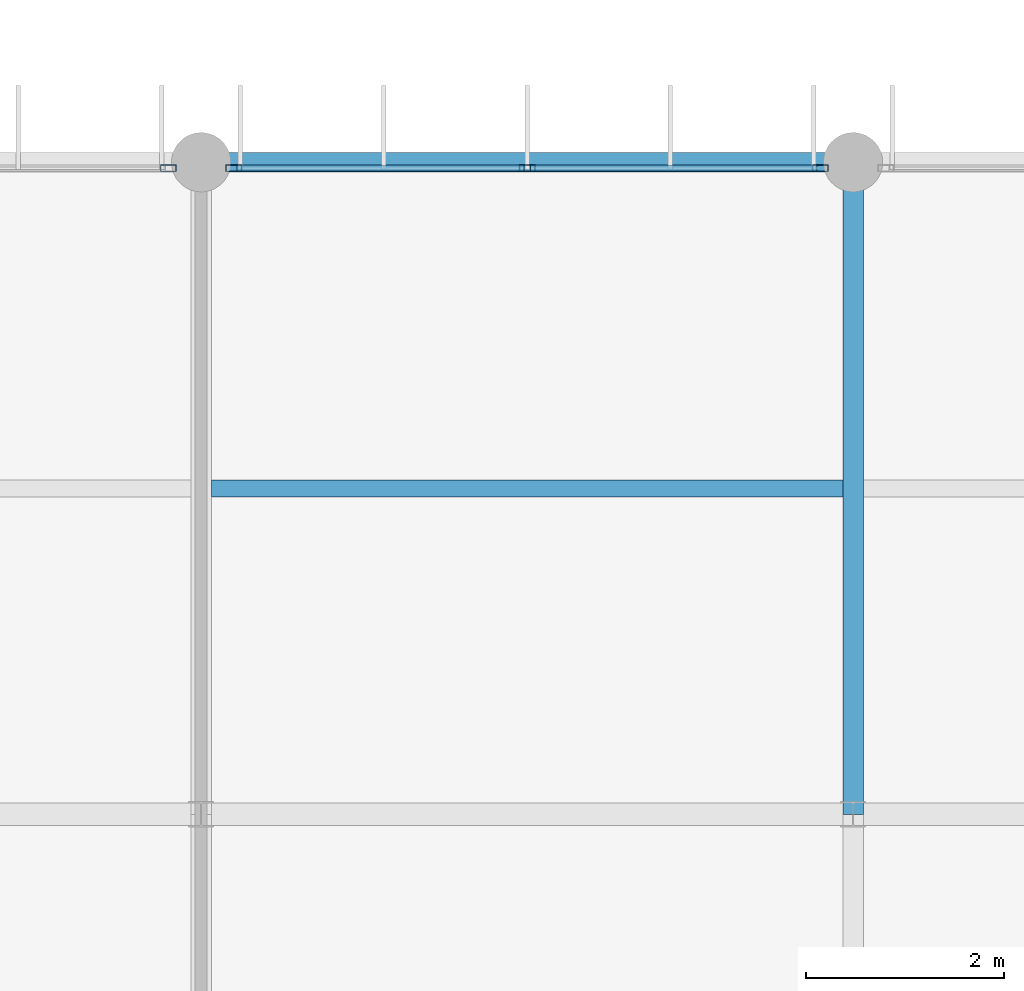
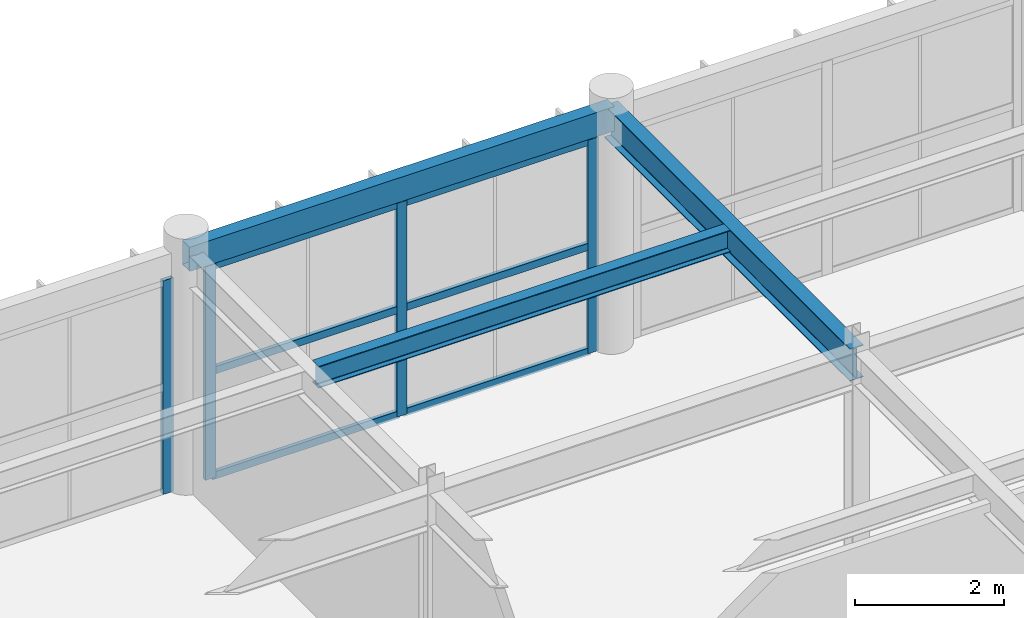
# One storey, part 42 of 66: 10 members, 3 beams, 2 elements without a shape of their own.
"""IFC4 building model written with IfcOpenShell, lengths in metres."""

import ifcopenshell
import ifcopenshell.guid

model = None  # the IFC model being written
_history = None  # IfcOwnerHistory: only IFC2X3 demands one
_inside = {}  # id of a spatial element -> (the spatial element, [elements in it])
_under = {}  # id of a project, library or spatial element -> (it, [spatial elements below it])
_declared = {}  # id of a project -> (the project, [libraries it declares])
_typed = {}  # id of a type object -> (the type object, [elements of that type])
_made_of = {}  # id of a material, layer set ... -> (it, [elements and type objects made of it])


def new_model(schema):
    """Start an empty IFC model of exactly this schema.

    Asked for "IFC4X3", IfcOpenShell would pick the latest addendum, in which some entities
    have other attributes; the version numbers below select the first issue.
    IFC2X3 requires an IfcOwnerHistory on every rooted entity: one is made here for all.
    """
    global model, _history
    if schema == "IFC4X3":
        model = ifcopenshell.file(schema_version=(4, 3, 0, 0))
    else:
        model = ifcopenshell.file(schema=schema)
    _inside.clear()
    _under.clear()
    _declared.clear()
    _typed.clear()
    _made_of.clear()
    _history = None
    if model.schema == "IFC2X3":
        org = make("IfcOrganization", Name="unknown")
        user = make(
            "IfcPersonAndOrganization",
            ThePerson=make("IfcPerson", FamilyName="unknown"),
            TheOrganization=org,
        )
        app = make(
            "IfcApplication",
            ApplicationDeveloper=org,
            Version="unknown",
            ApplicationFullName="unknown",
            ApplicationIdentifier="unknown",
        )
        _history = make(
            "IfcOwnerHistory",
            OwningUser=user,
            OwningApplication=app,
            ChangeAction="ADDED",
            CreationDate=0,
        )
    return model


def make(cls, **values):
    """One entity of the class cls with the attributes given. An attribute that is None is left unset."""
    return model.create_entity(
        cls, **{name: value for name, value in values.items() if value is not None}
    )


def rooted(cls, **values):
    """An entity with a GlobalId (a new one), such as an element, a storey or a relation."""
    return make(cls, GlobalId=ifcopenshell.guid.new(), OwnerHistory=_history, **values)


def si_unit(unit_type, name, prefix=None):
    """IfcSIUnit, for example si_unit("LENGTHUNIT", "METRE", prefix="MILLI")."""
    return make("IfcSIUnit", UnitType=unit_type, Prefix=prefix, Name=name)


def assignment(units):
    """IfcUnitAssignment: the units of a project."""
    return None if units is None else make("IfcUnitAssignment", Units=units)


def point(xyz):
    """IfcCartesianPoint."""
    return None if xyz is None else make("IfcCartesianPoint", Coordinates=xyz)


def direction(xyz):
    """IfcDirection."""
    return None if xyz is None else make("IfcDirection", DirectionRatios=xyz)


def frame(location, z_axis=None, x_axis=None):
    """IfcAxis2Placement3D, a coordinate frame: its origin and axes. An axis left out is left unset."""
    return make(
        "IfcAxis2Placement3D",
        Location=point(location),
        Axis=direction(z_axis),
        RefDirection=direction(x_axis),
    )


def frame_2d(location, x_axis=None):
    """IfcAxis2Placement2D, a coordinate frame in the plane: its origin and x axis."""
    return make(
        "IfcAxis2Placement2D", Location=point(location), RefDirection=direction(x_axis)
    )


def origin():
    """The frame at (0, 0, 0) with its axes left unset."""
    return frame((0.0, 0.0, 0.0))


def origin_2d():
    """The frame at (0, 0) in the plane with its x axis left unset."""
    return frame_2d((0.0, 0.0))


def place(relative_to, where):
    """IfcLocalPlacement: puts the frame where relative to a parent placement (None: the world)."""
    return make(
        "IfcLocalPlacement", PlacementRelTo=relative_to, RelativePlacement=where
    )


def context(
    kind, dimensions, precision=None, world=None, true_north=None, identifier=None
):
    """IfcGeometricRepresentationContext, for example the 3D "Model" context."""
    return make(
        "IfcGeometricRepresentationContext",
        ContextIdentifier=identifier,
        ContextType=kind,
        CoordinateSpaceDimension=dimensions,
        Precision=precision,
        WorldCoordinateSystem=world,
        TrueNorth=true_north,
    )


def subcontext(parent, identifier, kind, view, scale=None):
    """IfcGeometricRepresentationSubContext, for example "Body" below "Model"."""
    return make(
        "IfcGeometricRepresentationSubContext",
        ContextIdentifier=identifier,
        ContextType=kind,
        ParentContext=parent,
        TargetScale=scale,
        TargetView=view,
    )


def project(units=None, contexts=None):
    """IfcProject with its units and contexts."""
    return rooted(
        "IfcProject",
        Name="project",
        RepresentationContexts=contexts,
        UnitsInContext=assignment(units),
    )


def spatial(cls, under=None, at=None, **own):
    """A site, building, storey or space (cls), placed at a placement, below another one or the project."""
    s = rooted(cls, ObjectPlacement=at, **own)
    if under is not None:
        _under.setdefault(under.id(), (under, []))[1].append(s)
    return s


def profile(cls, at=None, kind="AREA", **sizes):
    """A parametric profile (cls). Its sizes go by their IFC names, for example OverallWidth=200.0."""
    return make(cls, ProfileType=kind, Position=at, **sizes)


def hollow_rectangle(**sizes):
    """IfcRectangleHollowProfileDef."""
    return profile("IfcRectangleHollowProfileDef", **sizes)


def i_section(**sizes):
    """IfcIShapeProfileDef."""
    return profile("IfcIShapeProfileDef", **sizes)


def extrude(swept, where, along, depth):
    """IfcExtrudedAreaSolid: the profile swept, set in the frame where, extruded along a direction by depth."""
    return make(
        "IfcExtrudedAreaSolid",
        SweptArea=swept,
        Position=where,
        ExtrudedDirection=direction(along),
        Depth=depth,
    )


def shape(context_of_items, identifier, shape_type, items):
    """IfcShapeRepresentation: the items that make up one representation, for example the "Body"."""
    return make(
        "IfcShapeRepresentation",
        ContextOfItems=context_of_items,
        RepresentationIdentifier=identifier,
        RepresentationType=shape_type,
        Items=items,
    )


def material(Name=None, Category=None):
    """IfcMaterial."""
    return make("IfcMaterial", Name=Name, Category=Category)


def material_profile(
    of_material, cross_section, Name=None, Category=None, Priority=None
):
    """IfcMaterialProfile: a cross section and its material."""
    return make(
        "IfcMaterialProfile",
        Name=Name,
        Material=of_material,
        Profile=cross_section,
        Priority=Priority,
        Category=Category,
    )


def profile_set(profiles, Name=None, composite=None):
    """IfcMaterialProfileSet."""
    return make(
        "IfcMaterialProfileSet",
        Name=Name,
        MaterialProfiles=profiles,
        CompositeProfile=composite,
    )


def made_of(thing, what):
    """Note that an element or type object is made of a material, layer set ...; save() writes the relation."""
    if what is not None:
        _made_of.setdefault(what.id(), (what, []))[1].append(thing)
    return thing


def type_object(cls, material=None, **own):
    """A type object (cls), such as IfcWallType, which elements share."""
    return made_of(rooted(cls, **own), material)


def element(
    cls,
    number,
    at=None,
    inside=None,
    cuts=None,
    type_object=None,
    material=None,
    context=None,
    identifier="Body",
    shape_type=None,
    held_by="IfcProductDefinitionShape",
    body=None,
    shapes=None,
    **own,
):
    """One element of the class cls, such as IfcWall. Its Tag is "e" and its number.

    at: its placement. inside: the storey or other place that contains it. cuts: it is an
    opening in that element (IfcRelVoidsElement). A single representation is given by context,
    identifier, shape_type and body (its items); several are given by shapes. held_by: the class
    of the entity that holds the representations. save() writes the other relations.
    """
    e = rooted(cls, Tag="e%d" % number, ObjectPlacement=at, **own)
    if body is not None:
        shapes = [shape(context, identifier, shape_type, body)]
    if shapes is not None:
        e.Representation = make(held_by, Representations=shapes)
    if inside is not None:
        _inside.setdefault(inside.id(), (inside, []))[1].append(e)
    if cuts is not None:
        rooted(
            "IfcRelVoidsElement", RelatingBuildingElement=cuts, RelatedOpeningElement=e
        )
    if type_object is not None:
        _typed.setdefault(type_object.id(), (type_object, []))[1].append(e)
    return made_of(e, material)


def aggregate(whole, parts):
    """IfcRelAggregates: a whole, such as a stair, and the parts it consists of."""
    return rooted("IfcRelAggregates", RelatingObject=whole, RelatedObjects=parts)


def save(model, path):
    """Write the relations noted so far, then the file.

    IfcRelAggregates (storeys below a building ...), IfcRelContainedInSpatialStructure (elements
    in a storey), IfcRelDefinesByType, IfcRelAssociatesMaterial and IfcRelDeclares: one each for
    every whole, place, type object, material and project.
    """
    for whole, parts in _under.values():
        aggregate(whole, parts)
    for where, things in _inside.values():
        rooted(
            "IfcRelContainedInSpatialStructure",
            RelatedElements=things,
            RelatingStructure=where,
        )
    for kind, things in _typed.values():
        rooted("IfcRelDefinesByType", RelatedObjects=things, RelatingType=kind)
    for what, things in _made_of.values():
        rooted("IfcRelAssociatesMaterial", RelatedObjects=things, RelatingMaterial=what)
    for by, libraries in _declared.values():
        rooted("IfcRelDeclares", RelatingContext=by, RelatedDefinitions=libraries)
    model.write(path)


model = new_model("IFC4")

# Units and contexts
model_context = context("Model", 3, precision=1e-05, world=origin(), true_north=direction((0.0, 1.0)))
body_context = subcontext(model_context, "Body", "Model", "MODEL_VIEW")
ifc_project = project(units=[si_unit("LENGTHUNIT", "METRE"), si_unit("AREAUNIT", "SQUARE_METRE"), si_unit("VOLUMEUNIT", "CUBIC_METRE"), si_unit("PLANEANGLEUNIT", "RADIAN"), si_unit("MASSUNIT", "GRAM", prefix="KILO")], contexts=[model_context])

# Site, building, storey
site_placement = place(None, origin())
site = spatial("IfcSite", under=ifc_project, at=site_placement, CompositionType="ELEMENT")
building_placement = place(site_placement, origin())
building = spatial("IfcBuilding", under=site, at=building_placement, Name="Karori Crest Natural Sciences Institute", CompositionType="ELEMENT")
storey_placement = place(building_placement, frame((0.0, 0.0, 30.10009765625)))
storey = spatial("IfcBuildingStorey", under=building, at=storey_placement, Name="L07", CompositionType="ELEMENT", Elevation=30.10009765625)

# Beams
ifc_material_1 = material(Name="Structural steel AS/NZS 3679.1 Grade 350", Category="steel")
ifc_material_profile_1 = material_profile(ifc_material_1, i_section(OverallWidth=0.208984375, OverallDepth=0.532958984375, WebThickness=0.01025390625, FlangeThickness=0.015625, FilletRadius=0.013916015625, at=origin_2d()), Name="530UB92.4")
ifc_profile_set_1 = profile_set([ifc_material_profile_1], Name="Structural steel AS/NZS 3679.1 Grade 350")
beam_type_1 = type_object("IfcBeamType", Name="BT-05", PredefinedType="BEAM", material=ifc_profile_set_1)
beam_1_placement = place(storey_placement, frame((143.199951171875, 14.0, 3.6533203125), z_axis=(0.0, 1.0, 0.0), x_axis=(-1.0, 0.0, 0.0)))
element("IfcBeam", 1, at=beam_1_placement, inside=storey, type_object=beam_type_1, Name="Beam B-2668", PredefinedType="BEAM", context=body_context, shape_type="SweptSolid", body=[
    extrude(i_section(OverallWidth=0.208984375, OverallDepth=0.532958984375, WebThickness=0.01025390625, FlangeThickness=0.015625, FilletRadius=0.013916015625, at=origin_2d()), origin(), (0.0, 0.0, 1.0), 6.60009765625),
])
ifc_material_profile_2 = material_profile(ifc_material_1, i_section(OverallWidth=0.172119140625, OverallDepth=0.35888671875, WebThickness=0.008056640625, FlangeThickness=0.012939453125, FilletRadius=0.010986328125, at=origin_2d()), Name="360UB56.7")
ifc_profile_set_2 = profile_set([ifc_material_profile_2], Name="Structural steel AS/NZS 3679.1 Grade 350")
beam_type_2 = type_object("IfcBeamType", Name="BT-08", PredefinedType="BEAM", material=ifc_profile_set_2)
beam_2_placement = place(storey_placement, frame((136.70458984375, 17.300048828125, 3.740478515625), z_axis=(1.0, 0.0, 0.0), x_axis=(0.0, 1.0, 0.0)))
element("IfcBeam", 2, at=beam_2_placement, inside=storey, type_object=beam_type_2, Name="Beam B-2688", PredefinedType="BEAM", context=body_context, shape_type="SweptSolid", body=[
    extrude(i_section(OverallWidth=0.172119140625, OverallDepth=0.35888671875, WebThickness=0.008056640625, FlangeThickness=0.012939453125, FilletRadius=0.010986328125, at=origin_2d()), origin(), (0.0, 0.0, 1.0), 6.390869140625),
])
ifc_material_2 = material(Name="Hollow structural steel AS/NZS 1163 Grade C350", Category="steel")
ifc_material_profile_3 = material_profile(ifc_material_2, hollow_rectangle(XDim=0.199951171875, YDim=0.39990234375, WallThickness=0.012451171875, at=origin_2d()), Name="RHS400x200x12.5")
ifc_profile_set_3 = profile_set([ifc_material_profile_3], Name="Hollow structural steel AS/NZS 1163 Grade C350")
beam_type_3 = type_object("IfcBeamType", Name="BT-14", PredefinedType="SPANDREL", material=ifc_profile_set_3)
beam_3_placement = place(storey_placement, frame((136.60009765625, 20.60009765625, 3.719970703125), z_axis=(1.0, 0.0, 0.0), x_axis=(0.0, 1.0, 0.0)))
element("IfcBeam", 3, at=beam_3_placement, inside=storey, type_object=beam_type_3, Name="Beam B-2645", PredefinedType="SPANDREL", context=body_context, shape_type="SweptSolid", body=[
    extrude(hollow_rectangle(XDim=0.199951171875, YDim=0.39990234375, WallThickness=0.012451171875, at=origin_2d()), origin(), (0.0, 0.0, 1.0), 6.599853515625),
])

# Curtain wall, member
ifc_material_3 = material(Name="Anodised architectural aluminium 6063-T6", Category="aluminium")
curtain_wall_type = type_object("IfcCurtainWallType", Name="CWT-20", PredefinedType="NOTDEFINED", material=ifc_material_3)
curtain_wall_1_placement = place(storey_placement, origin())
curtain_wall_1 = element("IfcCurtainWall", 4, at=curtain_wall_1_placement, inside=storey, type_object=curtain_wall_type, Name="Curtain wall CW-0361", PredefinedType="NOTDEFINED")
ifc_material_profile_4 = material_profile(ifc_material_3, hollow_rectangle(XDim=0.06494140625, YDim=0.159912109375, WallThickness=0.00390625, at=origin_2d()), Name="CWM160x65x4")
ifc_profile_set_4 = profile_set([ifc_material_profile_4], Name="Anodised architectural aluminium 6063-T6")
member_type_1 = type_object("IfcMemberType", Name="CWM-01", PredefinedType="MULLION", material=ifc_profile_set_4)
member_1_placement = place(storey_placement, frame((136.26953125, 20.5400390625, 0.0), z_axis=(0.0, 0.0, 1.0), x_axis=(0.0, 1.0, 0.0)))
member_1 = element("IfcMember", 5, at=member_1_placement, type_object=member_type_1, Name="CW-0361 mullion 3", PredefinedType="MULLION", context=body_context, shape_type="SweptSolid", body=[
    extrude(hollow_rectangle(XDim=0.06494140625, YDim=0.159912109375, WallThickness=0.00390625, at=origin_2d()), origin(), (0.0, 0.0, 1.0), 3.5048828125),
])
aggregate(curtain_wall_1, [member_1])

# Curtain wall, members
curtain_wall_2_placement = place(storey_placement, origin())
curtain_wall_2 = element("IfcCurtainWall", 6, at=curtain_wall_2_placement, inside=storey, type_object=curtain_wall_type, Name="Curtain wall CW-0362", PredefinedType="NOTDEFINED")
member_2_placement = place(storey_placement, frame((136.930419921875, 20.5400390625, 0.0), z_axis=(0.0, 0.0, 1.0), x_axis=(0.0, 1.0, 0.0)))
member_2 = element("IfcMember", 7, at=member_2_placement, type_object=member_type_1, Name="CW-0362 mullion 1", PredefinedType="MULLION", context=body_context, shape_type="SweptSolid", body=[
    extrude(hollow_rectangle(XDim=0.06494140625, YDim=0.159912109375, WallThickness=0.00390625, at=origin_2d()), origin(), (0.0, 0.0, 1.0), 3.5048828125),
])
member_3_placement = place(storey_placement, frame((139.89990234375, 20.5400390625, 0.0), z_axis=(0.0, 0.0, 1.0), x_axis=(0.0, 1.0, 0.0)))
member_3 = element("IfcMember", 8, at=member_3_placement, type_object=member_type_1, Name="CW-0362 mullion 2", PredefinedType="MULLION", context=body_context, shape_type="SweptSolid", body=[
    extrude(hollow_rectangle(XDim=0.06494140625, YDim=0.159912109375, WallThickness=0.00390625, at=origin_2d()), origin(), (0.0, 0.0, 1.0), 3.5048828125),
])
member_4_placement = place(storey_placement, frame((142.869384765625, 20.5400390625, 0.0), z_axis=(0.0, 0.0, 1.0), x_axis=(0.0, 1.0, 0.0)))
member_4 = element("IfcMember", 9, at=member_4_placement, type_object=member_type_1, Name="CW-0362 mullion 3", PredefinedType="MULLION", context=body_context, shape_type="SweptSolid", body=[
    extrude(hollow_rectangle(XDim=0.06494140625, YDim=0.159912109375, WallThickness=0.00390625, at=origin_2d()), origin(), (0.0, 0.0, 1.0), 3.5048828125),
])
ifc_material_profile_5 = material_profile(ifc_material_3, hollow_rectangle(XDim=0.06005859375, YDim=0.1201171875, WallThickness=0.00390625, at=origin_2d()), Name="CWT120x60x4")
ifc_profile_set_5 = profile_set([ifc_material_profile_5], Name="Anodised architectural aluminium 6063-T6")
member_type_2 = type_object("IfcMemberType", Name="CWT-TR1", PredefinedType="USERDEFINED", material=ifc_profile_set_5)
member_5_placement = place(storey_placement, frame((136.962890625, 20.5400390625, 0.02978515625), z_axis=(1.0, 0.0, 0.0), x_axis=(0.0, 1.0, 0.0)))
member_5 = element("IfcMember", 10, at=member_5_placement, type_object=member_type_2, Name="CW-0362 transom 1.1", ObjectType="TRANSOM", PredefinedType="USERDEFINED", context=body_context, shape_type="SweptSolid", body=[
    extrude(hollow_rectangle(XDim=0.06005859375, YDim=0.1201171875, WallThickness=0.00390625, at=origin_2d()), origin(), (0.0, 0.0, 1.0), 2.904541015625),
])
member_6_placement = place(storey_placement, frame((136.962890625, 20.5400390625, 1.75244140625), z_axis=(1.0, 0.0, 0.0), x_axis=(0.0, 1.0, 0.0)))
member_6 = element("IfcMember", 11, at=member_6_placement, type_object=member_type_2, Name="CW-0362 transom 1.2", ObjectType="TRANSOM", PredefinedType="USERDEFINED", context=body_context, shape_type="SweptSolid", body=[
    extrude(hollow_rectangle(XDim=0.06005859375, YDim=0.1201171875, WallThickness=0.00390625, at=origin_2d()), origin(), (0.0, 0.0, 1.0), 2.904541015625),
])
member_7_placement = place(storey_placement, frame((136.962890625, 20.5400390625, 3.474853515625), z_axis=(1.0, 0.0, 0.0), x_axis=(0.0, 1.0, 0.0)))
member_7 = element("IfcMember", 12, at=member_7_placement, type_object=member_type_2, Name="CW-0362 transom 1.3", ObjectType="TRANSOM", PredefinedType="USERDEFINED", context=body_context, shape_type="SweptSolid", body=[
    extrude(hollow_rectangle(XDim=0.06005859375, YDim=0.1201171875, WallThickness=0.00390625, at=origin_2d()), origin(), (0.0, 0.0, 1.0), 2.904541015625),
])
member_8_placement = place(storey_placement, frame((139.9326171875, 20.5400390625, 0.02978515625), z_axis=(1.0, 0.0, 0.0), x_axis=(0.0, 1.0, 0.0)))
member_8 = element("IfcMember", 13, at=member_8_placement, type_object=member_type_2, Name="CW-0362 transom 2.1", ObjectType="TRANSOM", PredefinedType="USERDEFINED", context=body_context, shape_type="SweptSolid", body=[
    extrude(hollow_rectangle(XDim=0.06005859375, YDim=0.1201171875, WallThickness=0.00390625, at=origin_2d()), origin(), (0.0, 0.0, 1.0), 2.904296875),
])
member_9_placement = place(storey_placement, frame((139.9326171875, 20.5400390625, 1.75244140625), z_axis=(1.0, 0.0, 0.0), x_axis=(0.0, 1.0, 0.0)))
member_9 = element("IfcMember", 14, at=member_9_placement, type_object=member_type_2, Name="CW-0362 transom 2.2", ObjectType="TRANSOM", PredefinedType="USERDEFINED", context=body_context, shape_type="SweptSolid", body=[
    extrude(hollow_rectangle(XDim=0.06005859375, YDim=0.1201171875, WallThickness=0.00390625, at=origin_2d()), origin(), (0.0, 0.0, 1.0), 2.904296875),
])
member_10_placement = place(storey_placement, frame((139.9326171875, 20.5400390625, 3.474853515625), z_axis=(1.0, 0.0, 0.0), x_axis=(0.0, 1.0, 0.0)))
member_10 = element("IfcMember", 15, at=member_10_placement, type_object=member_type_2, Name="CW-0362 transom 2.3", ObjectType="TRANSOM", PredefinedType="USERDEFINED", context=body_context, shape_type="SweptSolid", body=[
    extrude(hollow_rectangle(XDim=0.06005859375, YDim=0.1201171875, WallThickness=0.00390625, at=origin_2d()), origin(), (0.0, 0.0, 1.0), 2.904296875),
])
aggregate(curtain_wall_2, [member_2, member_3, member_4, member_5, member_6, member_7, member_8, member_9, member_10])

save(model, "model.ifc")
